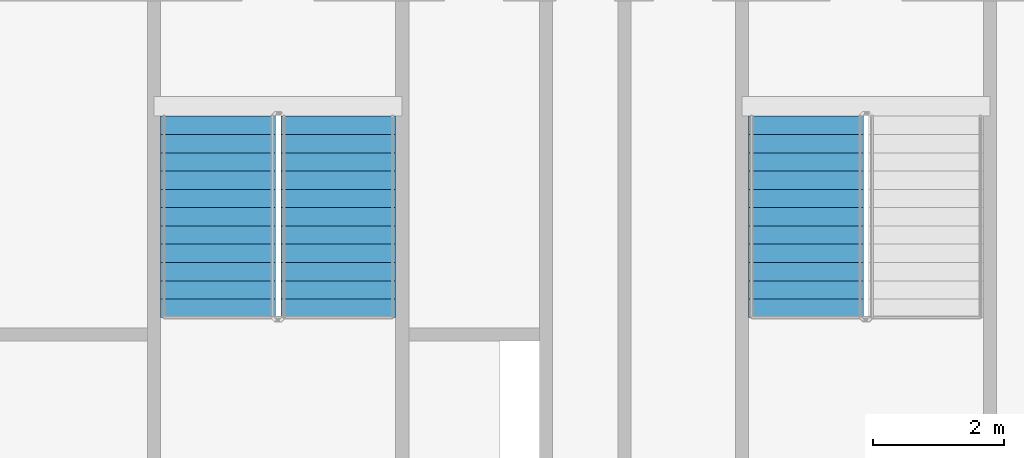
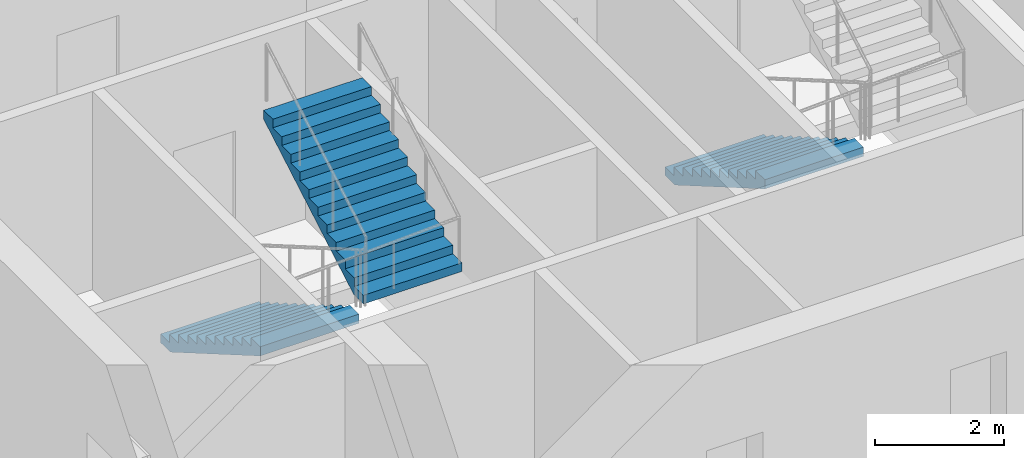
# One storey, part 13 of 20: 3 stair flights, 2 elements without a shape of their own.
"""IFC4 building model written with IfcOpenShell, lengths in metres."""

from ifc_helpers import new_model, si_unit, direction, frame, origin, place, context, subcontext, project, spatial, faceted_brep, material, type_object, element, aggregate, save


model = new_model("IFC4")

# Units and contexts
model_context = context("Model", 3, precision=1e-05, world=origin(), true_north=direction((0.0, 1.0)))
body_context = subcontext(model_context, "Body", "Model", "MODEL_VIEW")
ifc_project = project(units=[si_unit("LENGTHUNIT", "METRE"), si_unit("AREAUNIT", "SQUARE_METRE"), si_unit("VOLUMEUNIT", "CUBIC_METRE"), si_unit("PLANEANGLEUNIT", "RADIAN"), si_unit("MASSUNIT", "GRAM", prefix="KILO")], contexts=[model_context])

# Site, building, storey
site_placement = place(None, origin())
site = spatial("IfcSite", under=ifc_project, at=site_placement, CompositionType="ELEMENT")
building_placement = place(site_placement, origin())
building = spatial("IfcBuilding", under=site, at=building_placement, Name="Tarsis Ring Headquarters", CompositionType="ELEMENT")
storey_placement = place(building_placement, frame((0.0, 0.0, 294.199951171875)))
storey = spatial("IfcBuildingStorey", under=building, at=storey_placement, Name="L69", CompositionType="ELEMENT", Elevation=294.199951171875)

# Stair, stair flights
ifc_material_1 = material(Name="Core stair 1760")
stair_type = type_object("IfcStairType", Name="Core stair 1760", PredefinedType="HALF_TURN_STAIR", material=ifc_material_1)
stair_1_placement = place(storey_placement, origin())
stair_1 = element("IfcStair", 1, at=stair_1_placement, inside=storey, type_object=stair_type, Name="L69 Exit stair C", PredefinedType="HALF_TURN_STAIR")
ifc_material_2 = material(Name="Concrete C40/50", Category="concrete")
stair_flight_type = type_object("IfcStairFlightType", Name="Core stair flight 1760", PredefinedType="STRAIGHT", material=ifc_material_2)
stair_flight_1_placement = place(storey_placement, frame((-5.419921875, -3.659912109375, 0.0), z_axis=(0.0, 0.0, 1.0), x_axis=(0.0, -1.0, 0.0)))
stair_flight_1 = element("IfcStairFlight", 2, at=stair_flight_1_placement, type_object=stair_flight_type, Name="Stair ST3 flight 1", NumberOfRisers=12, NumberOfTreads=11, PredefinedType="STRAIGHT", RiserHeight=0.1625, TreadLength=0.28, context=body_context, shape_type="Brep", body=[
    faceted_brep([(0.0, 0.8798828125, 0.0), (0.0, 0.8798828125, 0.16259765625), (0.280029296875, 0.8798828125, 0.16259765625), (0.280029296875, 0.8798828125, 0.324951171875), (0.56005859375, 0.8798828125, 0.324951171875), (0.56005859375, 0.8798828125, 0.487548828125), (0.840087890625, 0.8798828125, 0.487548828125), (0.840087890625, 0.8798828125, 0.64990234375), (1.1201171875, 0.8798828125, 0.64990234375), (1.1201171875, 0.8798828125, 0.8125), (1.39990234375, 0.8798828125, 0.8125), (1.39990234375, 0.8798828125, 0.97509765625), (1.679931640625, 0.8798828125, 0.97509765625), (1.679931640625, 0.8798828125, 1.137451171875), (1.9599609375, 0.8798828125, 1.137451171875), (1.9599609375, 0.8798828125, 1.300048828125), (2.239990234375, 0.8798828125, 1.300048828125), (2.239990234375, 0.8798828125, 1.46240234375), (2.52001953125, 0.8798828125, 1.46240234375), (2.52001953125, 0.8798828125, 1.625), (2.800048828125, 0.8798828125, 1.625), (2.800048828125, 0.8798828125, 1.78759765625), (3.080078125, 0.8798828125, 1.78759765625), (3.080078125, 0.8798828125, 1.6142578125), (0.298583984375, 0.8798828125, 0.0), (0.298583984375, -0.8798828125, 0.0), (3.080078125, -0.8798828125, 1.6142578125), (3.080078125, -0.8798828125, 1.78759765625), (2.800048828125, -0.8798828125, 1.78759765625), (2.800048828125, -0.8798828125, 1.625), (2.52001953125, -0.8798828125, 1.625), (2.52001953125, -0.8798828125, 1.46240234375), (2.239990234375, -0.8798828125, 1.46240234375), (2.239990234375, -0.8798828125, 1.300048828125), (1.9599609375, -0.8798828125, 1.300048828125), (1.9599609375, -0.8798828125, 1.137451171875), (1.679931640625, -0.8798828125, 1.137451171875), (1.679931640625, -0.8798828125, 0.97509765625), (1.39990234375, -0.8798828125, 0.97509765625), (1.39990234375, -0.8798828125, 0.8125), (1.1201171875, -0.8798828125, 0.8125), (1.1201171875, -0.8798828125, 0.64990234375), (0.840087890625, -0.8798828125, 0.64990234375), (0.840087890625, -0.8798828125, 0.487548828125), (0.56005859375, -0.8798828125, 0.487548828125), (0.56005859375, -0.8798828125, 0.324951171875), (0.280029296875, -0.8798828125, 0.324951171875), (0.280029296875, -0.8798828125, 0.16259765625), (0.0, -0.8798828125, 0.16259765625), (0.0, -0.8798828125, 0.0), (0.0, -0.43994140625, 0.16259765625), (0.0, -0.43994140625, 0.0), (0.0, 0.0, 0.16259765625), (0.0, 0.0, 0.0), (0.0, 0.43994140625, 0.16259765625), (0.0, 0.43994140625, 0.0), (0.280029296875, -0.43994140625, 0.16259765625), (0.280029296875, 0.0, 0.16259765625), (0.280029296875, 0.43994140625, 0.16259765625), (0.280029296875, -0.43994140625, 0.324951171875), (0.280029296875, 0.0, 0.324951171875), (0.280029296875, 0.43994140625, 0.324951171875), (0.56005859375, -0.43994140625, 0.324951171875), (0.56005859375, 0.0, 0.324951171875), (0.56005859375, 0.43994140625, 0.324951171875), (0.56005859375, -0.43994140625, 0.487548828125), (0.56005859375, 0.0, 0.487548828125), (0.56005859375, 0.43994140625, 0.487548828125), (0.840087890625, -0.43994140625, 0.487548828125), (0.840087890625, 0.0, 0.487548828125), (0.840087890625, 0.43994140625, 0.487548828125), (0.840087890625, -0.43994140625, 0.64990234375), (0.840087890625, 0.0, 0.64990234375), (0.840087890625, 0.43994140625, 0.64990234375), (1.1201171875, -0.43994140625, 0.64990234375), (1.1201171875, 0.0, 0.64990234375), (1.1201171875, 0.43994140625, 0.64990234375), (1.1201171875, -0.43994140625, 0.8125), (1.1201171875, 0.0, 0.8125), (1.1201171875, 0.43994140625, 0.8125), (1.39990234375, -0.43994140625, 0.8125), (1.39990234375, 0.0, 0.8125), (1.39990234375, 0.43994140625, 0.8125), (1.39990234375, -0.43994140625, 0.97509765625), (1.39990234375, 0.0, 0.97509765625), (1.39990234375, 0.43994140625, 0.97509765625), (1.679931640625, -0.43994140625, 0.97509765625), (1.679931640625, 0.0, 0.97509765625), (1.679931640625, 0.43994140625, 0.97509765625), (1.679931640625, -0.43994140625, 1.137451171875), (1.679931640625, 0.0, 1.137451171875), (1.679931640625, 0.43994140625, 1.137451171875), (1.9599609375, -0.43994140625, 1.137451171875), (1.9599609375, 0.0, 1.137451171875), (1.9599609375, 0.43994140625, 1.137451171875), (1.9599609375, -0.43994140625, 1.300048828125), (1.9599609375, 0.0, 1.300048828125), (1.9599609375, 0.43994140625, 1.300048828125), (2.239990234375, -0.43994140625, 1.300048828125), (2.239990234375, 0.0, 1.300048828125), (2.239990234375, 0.43994140625, 1.300048828125), (2.239990234375, -0.43994140625, 1.46240234375), (2.239990234375, 0.0, 1.46240234375), (2.239990234375, 0.43994140625, 1.46240234375), (2.52001953125, -0.43994140625, 1.46240234375), (2.52001953125, 0.0, 1.46240234375), (2.52001953125, 0.43994140625, 1.46240234375), (2.52001953125, -0.43994140625, 1.625), (2.52001953125, 0.0, 1.625), (2.52001953125, 0.43994140625, 1.625), (2.800048828125, -0.43994140625, 1.625), (2.800048828125, 0.0, 1.625), (2.800048828125, 0.43994140625, 1.625), (2.800048828125, -0.43994140625, 1.78759765625), (2.800048828125, 0.0, 1.78759765625), (2.800048828125, 0.43994140625, 1.78759765625), (3.080078125, -0.43994140625, 1.78759765625), (3.080078125, 0.0, 1.78759765625), (3.080078125, 0.43994140625, 1.78759765625), (3.080078125, -0.43994140625, 1.6142578125), (3.080078125, 0.0, 1.6142578125), (3.080078125, 0.43994140625, 1.6142578125), (0.298583984375, -0.43994140625, 0.0), (0.298583984375, 0.0, 0.0), (0.298583984375, 0.43994140625, 0.0)], [[[0, 1, 2, 3, 4, 5, 6, 7, 8, 9, 10, 11, 12, 13, 14, 15, 16, 17, 18, 19, 20, 21, 22, 23, 24]], [[25, 26, 27, 28, 29, 30, 31, 32, 33, 34, 35, 36, 37, 38, 39, 40, 41, 42, 43, 44, 45, 46, 47, 48, 49]], [[49, 48, 50, 51]], [[51, 50, 52, 53]], [[53, 52, 54, 55]], [[55, 54, 1, 0]], [[48, 47, 56, 50]], [[50, 56, 57, 52]], [[52, 57, 58, 54]], [[54, 58, 2, 1]], [[47, 46, 59, 56]], [[56, 59, 60, 57]], [[57, 60, 61, 58]], [[58, 61, 3, 2]], [[46, 45, 62, 59]], [[59, 62, 63, 60]], [[60, 63, 64, 61]], [[61, 64, 4, 3]], [[45, 44, 65, 62]], [[62, 65, 66, 63]], [[63, 66, 67, 64]], [[64, 67, 5, 4]], [[44, 43, 68, 65]], [[65, 68, 69, 66]], [[66, 69, 70, 67]], [[67, 70, 6, 5]], [[43, 42, 71, 68]], [[68, 71, 72, 69]], [[69, 72, 73, 70]], [[70, 73, 7, 6]], [[42, 41, 74, 71]], [[71, 74, 75, 72]], [[72, 75, 76, 73]], [[73, 76, 8, 7]], [[41, 40, 77, 74]], [[74, 77, 78, 75]], [[75, 78, 79, 76]], [[76, 79, 9, 8]], [[40, 39, 80, 77]], [[77, 80, 81, 78]], [[78, 81, 82, 79]], [[79, 82, 10, 9]], [[39, 38, 83, 80]], [[80, 83, 84, 81]], [[81, 84, 85, 82]], [[82, 85, 11, 10]], [[38, 37, 86, 83]], [[83, 86, 87, 84]], [[84, 87, 88, 85]], [[85, 88, 12, 11]], [[37, 36, 89, 86]], [[86, 89, 90, 87]], [[87, 90, 91, 88]], [[88, 91, 13, 12]], [[36, 35, 92, 89]], [[89, 92, 93, 90]], [[90, 93, 94, 91]], [[91, 94, 14, 13]], [[35, 34, 95, 92]], [[92, 95, 96, 93]], [[93, 96, 97, 94]], [[94, 97, 15, 14]], [[34, 33, 98, 95]], [[95, 98, 99, 96]], [[96, 99, 100, 97]], [[97, 100, 16, 15]], [[33, 32, 101, 98]], [[98, 101, 102, 99]], [[99, 102, 103, 100]], [[100, 103, 17, 16]], [[32, 31, 104, 101]], [[101, 104, 105, 102]], [[102, 105, 106, 103]], [[103, 106, 18, 17]], [[31, 30, 107, 104]], [[104, 107, 108, 105]], [[105, 108, 109, 106]], [[106, 109, 19, 18]], [[30, 29, 110, 107]], [[107, 110, 111, 108]], [[108, 111, 112, 109]], [[109, 112, 20, 19]], [[29, 28, 113, 110]], [[110, 113, 114, 111]], [[111, 114, 115, 112]], [[112, 115, 21, 20]], [[28, 27, 116, 113]], [[113, 116, 117, 114]], [[114, 117, 118, 115]], [[115, 118, 22, 21]], [[27, 26, 119, 116]], [[116, 119, 120, 117]], [[117, 120, 121, 118]], [[118, 121, 23, 22]], [[26, 25, 122, 119]], [[119, 122, 123, 120]], [[120, 123, 124, 121]], [[121, 124, 24, 23]], [[25, 49, 51, 122]], [[122, 51, 53, 123]], [[123, 53, 55, 124]], [[124, 55, 0, 24]]]),
])
stair_flight_2_placement = place(storey_placement, frame((-3.580078125, -6.739990234375, 1.949951171875), z_axis=(0.0, 0.0, 1.0), x_axis=(0.0, 1.0, 0.0)))
stair_flight_2 = element("IfcStairFlight", 3, at=stair_flight_2_placement, type_object=stair_flight_type, Name="Stair ST3 flight 2", NumberOfRisers=12, NumberOfTreads=11, PredefinedType="STRAIGHT", RiserHeight=0.1625, TreadLength=0.28, context=body_context, shape_type="Brep", body=[
    faceted_brep([(0.0, 0.8798828125, 0.0), (0.0, 0.8798828125, 0.16259765625), (0.280029296875, 0.8798828125, 0.16259765625), (0.280029296875, 0.8798828125, 0.324951171875), (0.56005859375, 0.8798828125, 0.324951171875), (0.56005859375, 0.8798828125, 0.487548828125), (0.840087890625, 0.8798828125, 0.487548828125), (0.840087890625, 0.8798828125, 0.64990234375), (1.1201171875, 0.8798828125, 0.64990234375), (1.1201171875, 0.8798828125, 0.8125), (1.39990234375, 0.8798828125, 0.8125), (1.39990234375, 0.8798828125, 0.97509765625), (1.679931640625, 0.8798828125, 0.97509765625), (1.679931640625, 0.8798828125, 1.137451171875), (1.9599609375, 0.8798828125, 1.137451171875), (1.9599609375, 0.8798828125, 1.300048828125), (2.239990234375, 0.8798828125, 1.300048828125), (2.239990234375, 0.8798828125, 1.46240234375), (2.52001953125, 0.8798828125, 1.46240234375), (2.52001953125, 0.8798828125, 1.625), (2.800048828125, 0.8798828125, 1.625), (2.800048828125, 0.8798828125, 1.78759765625), (3.080078125, 0.8798828125, 1.78759765625), (3.080078125, 0.8798828125, 1.6142578125), (0.298583984375, 0.8798828125, 0.0), (0.298583984375, -0.8798828125, 0.0), (3.080078125, -0.8798828125, 1.6142578125), (3.080078125, -0.8798828125, 1.78759765625), (2.800048828125, -0.8798828125, 1.78759765625), (2.800048828125, -0.8798828125, 1.625), (2.52001953125, -0.8798828125, 1.625), (2.52001953125, -0.8798828125, 1.46240234375), (2.239990234375, -0.8798828125, 1.46240234375), (2.239990234375, -0.8798828125, 1.300048828125), (1.9599609375, -0.8798828125, 1.300048828125), (1.9599609375, -0.8798828125, 1.137451171875), (1.679931640625, -0.8798828125, 1.137451171875), (1.679931640625, -0.8798828125, 0.97509765625), (1.39990234375, -0.8798828125, 0.97509765625), (1.39990234375, -0.8798828125, 0.8125), (1.1201171875, -0.8798828125, 0.8125), (1.1201171875, -0.8798828125, 0.64990234375), (0.840087890625, -0.8798828125, 0.64990234375), (0.840087890625, -0.8798828125, 0.487548828125), (0.56005859375, -0.8798828125, 0.487548828125), (0.56005859375, -0.8798828125, 0.324951171875), (0.280029296875, -0.8798828125, 0.324951171875), (0.280029296875, -0.8798828125, 0.16259765625), (0.0, -0.8798828125, 0.16259765625), (0.0, -0.8798828125, 0.0), (0.0, -0.43994140625, 0.16259765625), (0.0, -0.43994140625, 0.0), (0.0, 0.0, 0.16259765625), (0.0, 0.0, 0.0), (0.0, 0.43994140625, 0.16259765625), (0.0, 0.43994140625, 0.0), (0.280029296875, -0.43994140625, 0.16259765625), (0.280029296875, 0.0, 0.16259765625), (0.280029296875, 0.43994140625, 0.16259765625), (0.280029296875, -0.43994140625, 0.324951171875), (0.280029296875, 0.0, 0.324951171875), (0.280029296875, 0.43994140625, 0.324951171875), (0.56005859375, -0.43994140625, 0.324951171875), (0.56005859375, 0.0, 0.324951171875), (0.56005859375, 0.43994140625, 0.324951171875), (0.56005859375, -0.43994140625, 0.487548828125), (0.56005859375, 0.0, 0.487548828125), (0.56005859375, 0.43994140625, 0.487548828125), (0.840087890625, -0.43994140625, 0.487548828125), (0.840087890625, 0.0, 0.487548828125), (0.840087890625, 0.43994140625, 0.487548828125), (0.840087890625, -0.43994140625, 0.64990234375), (0.840087890625, 0.0, 0.64990234375), (0.840087890625, 0.43994140625, 0.64990234375), (1.1201171875, -0.43994140625, 0.64990234375), (1.1201171875, 0.0, 0.64990234375), (1.1201171875, 0.43994140625, 0.64990234375), (1.1201171875, -0.43994140625, 0.8125), (1.1201171875, 0.0, 0.8125), (1.1201171875, 0.43994140625, 0.8125), (1.39990234375, -0.43994140625, 0.8125), (1.39990234375, 0.0, 0.8125), (1.39990234375, 0.43994140625, 0.8125), (1.39990234375, -0.43994140625, 0.97509765625), (1.39990234375, 0.0, 0.97509765625), (1.39990234375, 0.43994140625, 0.97509765625), (1.679931640625, -0.43994140625, 0.97509765625), (1.679931640625, 0.0, 0.97509765625), (1.679931640625, 0.43994140625, 0.97509765625), (1.679931640625, -0.43994140625, 1.137451171875), (1.679931640625, 0.0, 1.137451171875), (1.679931640625, 0.43994140625, 1.137451171875), (1.9599609375, -0.43994140625, 1.137451171875), (1.9599609375, 0.0, 1.137451171875), (1.9599609375, 0.43994140625, 1.137451171875), (1.9599609375, -0.43994140625, 1.300048828125), (1.9599609375, 0.0, 1.300048828125), (1.9599609375, 0.43994140625, 1.300048828125), (2.239990234375, -0.43994140625, 1.300048828125), (2.239990234375, 0.0, 1.300048828125), (2.239990234375, 0.43994140625, 1.300048828125), (2.239990234375, -0.43994140625, 1.46240234375), (2.239990234375, 0.0, 1.46240234375), (2.239990234375, 0.43994140625, 1.46240234375), (2.52001953125, -0.43994140625, 1.46240234375), (2.52001953125, 0.0, 1.46240234375), (2.52001953125, 0.43994140625, 1.46240234375), (2.52001953125, -0.43994140625, 1.625), (2.52001953125, 0.0, 1.625), (2.52001953125, 0.43994140625, 1.625), (2.800048828125, -0.43994140625, 1.625), (2.800048828125, 0.0, 1.625), (2.800048828125, 0.43994140625, 1.625), (2.800048828125, -0.43994140625, 1.78759765625), (2.800048828125, 0.0, 1.78759765625), (2.800048828125, 0.43994140625, 1.78759765625), (3.080078125, -0.43994140625, 1.78759765625), (3.080078125, 0.0, 1.78759765625), (3.080078125, 0.43994140625, 1.78759765625), (3.080078125, -0.43994140625, 1.6142578125), (3.080078125, 0.0, 1.6142578125), (3.080078125, 0.43994140625, 1.6142578125), (0.298583984375, -0.43994140625, 0.0), (0.298583984375, 0.0, 0.0), (0.298583984375, 0.43994140625, 0.0)], [[[0, 1, 2, 3, 4, 5, 6, 7, 8, 9, 10, 11, 12, 13, 14, 15, 16, 17, 18, 19, 20, 21, 22, 23, 24]], [[25, 26, 27, 28, 29, 30, 31, 32, 33, 34, 35, 36, 37, 38, 39, 40, 41, 42, 43, 44, 45, 46, 47, 48, 49]], [[49, 48, 50, 51]], [[51, 50, 52, 53]], [[53, 52, 54, 55]], [[55, 54, 1, 0]], [[48, 47, 56, 50]], [[50, 56, 57, 52]], [[52, 57, 58, 54]], [[54, 58, 2, 1]], [[47, 46, 59, 56]], [[56, 59, 60, 57]], [[57, 60, 61, 58]], [[58, 61, 3, 2]], [[46, 45, 62, 59]], [[59, 62, 63, 60]], [[60, 63, 64, 61]], [[61, 64, 4, 3]], [[45, 44, 65, 62]], [[62, 65, 66, 63]], [[63, 66, 67, 64]], [[64, 67, 5, 4]], [[44, 43, 68, 65]], [[65, 68, 69, 66]], [[66, 69, 70, 67]], [[67, 70, 6, 5]], [[43, 42, 71, 68]], [[68, 71, 72, 69]], [[69, 72, 73, 70]], [[70, 73, 7, 6]], [[42, 41, 74, 71]], [[71, 74, 75, 72]], [[72, 75, 76, 73]], [[73, 76, 8, 7]], [[41, 40, 77, 74]], [[74, 77, 78, 75]], [[75, 78, 79, 76]], [[76, 79, 9, 8]], [[40, 39, 80, 77]], [[77, 80, 81, 78]], [[78, 81, 82, 79]], [[79, 82, 10, 9]], [[39, 38, 83, 80]], [[80, 83, 84, 81]], [[81, 84, 85, 82]], [[82, 85, 11, 10]], [[38, 37, 86, 83]], [[83, 86, 87, 84]], [[84, 87, 88, 85]], [[85, 88, 12, 11]], [[37, 36, 89, 86]], [[86, 89, 90, 87]], [[87, 90, 91, 88]], [[88, 91, 13, 12]], [[36, 35, 92, 89]], [[89, 92, 93, 90]], [[90, 93, 94, 91]], [[91, 94, 14, 13]], [[35, 34, 95, 92]], [[92, 95, 96, 93]], [[93, 96, 97, 94]], [[94, 97, 15, 14]], [[34, 33, 98, 95]], [[95, 98, 99, 96]], [[96, 99, 100, 97]], [[97, 100, 16, 15]], [[33, 32, 101, 98]], [[98, 101, 102, 99]], [[99, 102, 103, 100]], [[100, 103, 17, 16]], [[32, 31, 104, 101]], [[101, 104, 105, 102]], [[102, 105, 106, 103]], [[103, 106, 18, 17]], [[31, 30, 107, 104]], [[104, 107, 108, 105]], [[105, 108, 109, 106]], [[106, 109, 19, 18]], [[30, 29, 110, 107]], [[107, 110, 111, 108]], [[108, 111, 112, 109]], [[109, 112, 20, 19]], [[29, 28, 113, 110]], [[110, 113, 114, 111]], [[111, 114, 115, 112]], [[112, 115, 21, 20]], [[28, 27, 116, 113]], [[113, 116, 117, 114]], [[114, 117, 118, 115]], [[115, 118, 22, 21]], [[27, 26, 119, 116]], [[116, 119, 120, 117]], [[117, 120, 121, 118]], [[118, 121, 23, 22]], [[26, 25, 122, 119]], [[119, 122, 123, 120]], [[120, 123, 124, 121]], [[121, 124, 24, 23]], [[25, 49, 51, 122]], [[122, 51, 53, 123]], [[123, 53, 55, 124]], [[124, 55, 0, 24]]]),
])
aggregate(stair_1, [stair_flight_1, stair_flight_2])

# Stair, stair flight
stair_2_placement = place(storey_placement, origin())
stair_2 = element("IfcStair", 4, at=stair_2_placement, inside=storey, type_object=stair_type, Name="L69 Exit stair D", PredefinedType="HALF_TURN_STAIR")
stair_flight_3_placement = place(storey_placement, frame((3.580078125, -3.659912109375, 0.0), z_axis=(0.0, 0.0, 1.0), x_axis=(0.0, -1.0, 0.0)))
stair_flight_3 = element("IfcStairFlight", 5, at=stair_flight_3_placement, type_object=stair_flight_type, Name="Stair ST4 flight 1", NumberOfRisers=12, NumberOfTreads=11, PredefinedType="STRAIGHT", RiserHeight=0.1625, TreadLength=0.28, context=body_context, shape_type="Brep", body=[
    faceted_brep([(0.0, 0.8798828125, 0.0), (0.0, 0.8798828125, 0.16259765625), (0.280029296875, 0.8798828125, 0.16259765625), (0.280029296875, 0.8798828125, 0.324951171875), (0.56005859375, 0.8798828125, 0.324951171875), (0.56005859375, 0.8798828125, 0.487548828125), (0.840087890625, 0.8798828125, 0.487548828125), (0.840087890625, 0.8798828125, 0.64990234375), (1.1201171875, 0.8798828125, 0.64990234375), (1.1201171875, 0.8798828125, 0.8125), (1.39990234375, 0.8798828125, 0.8125), (1.39990234375, 0.8798828125, 0.97509765625), (1.679931640625, 0.8798828125, 0.97509765625), (1.679931640625, 0.8798828125, 1.137451171875), (1.9599609375, 0.8798828125, 1.137451171875), (1.9599609375, 0.8798828125, 1.300048828125), (2.239990234375, 0.8798828125, 1.300048828125), (2.239990234375, 0.8798828125, 1.46240234375), (2.52001953125, 0.8798828125, 1.46240234375), (2.52001953125, 0.8798828125, 1.625), (2.800048828125, 0.8798828125, 1.625), (2.800048828125, 0.8798828125, 1.78759765625), (3.080078125, 0.8798828125, 1.78759765625), (3.080078125, 0.8798828125, 1.6142578125), (0.298583984375, 0.8798828125, 0.0), (0.298583984375, -0.8798828125, 0.0), (3.080078125, -0.8798828125, 1.6142578125), (3.080078125, -0.8798828125, 1.78759765625), (2.800048828125, -0.8798828125, 1.78759765625), (2.800048828125, -0.8798828125, 1.625), (2.52001953125, -0.8798828125, 1.625), (2.52001953125, -0.8798828125, 1.46240234375), (2.239990234375, -0.8798828125, 1.46240234375), (2.239990234375, -0.8798828125, 1.300048828125), (1.9599609375, -0.8798828125, 1.300048828125), (1.9599609375, -0.8798828125, 1.137451171875), (1.679931640625, -0.8798828125, 1.137451171875), (1.679931640625, -0.8798828125, 0.97509765625), (1.39990234375, -0.8798828125, 0.97509765625), (1.39990234375, -0.8798828125, 0.8125), (1.1201171875, -0.8798828125, 0.8125), (1.1201171875, -0.8798828125, 0.64990234375), (0.840087890625, -0.8798828125, 0.64990234375), (0.840087890625, -0.8798828125, 0.487548828125), (0.56005859375, -0.8798828125, 0.487548828125), (0.56005859375, -0.8798828125, 0.324951171875), (0.280029296875, -0.8798828125, 0.324951171875), (0.280029296875, -0.8798828125, 0.16259765625), (0.0, -0.8798828125, 0.16259765625), (0.0, -0.8798828125, 0.0), (0.0, -0.43994140625, 0.16259765625), (0.0, -0.43994140625, 0.0), (0.0, 0.0, 0.16259765625), (0.0, 0.0, 0.0), (0.0, 0.43994140625, 0.16259765625), (0.0, 0.43994140625, 0.0), (0.280029296875, -0.43994140625, 0.16259765625), (0.280029296875, 0.0, 0.16259765625), (0.280029296875, 0.43994140625, 0.16259765625), (0.280029296875, -0.43994140625, 0.324951171875), (0.280029296875, 0.0, 0.324951171875), (0.280029296875, 0.43994140625, 0.324951171875), (0.56005859375, -0.43994140625, 0.324951171875), (0.56005859375, 0.0, 0.324951171875), (0.56005859375, 0.43994140625, 0.324951171875), (0.56005859375, -0.43994140625, 0.487548828125), (0.56005859375, 0.0, 0.487548828125), (0.56005859375, 0.43994140625, 0.487548828125), (0.840087890625, -0.43994140625, 0.487548828125), (0.840087890625, 0.0, 0.487548828125), (0.840087890625, 0.43994140625, 0.487548828125), (0.840087890625, -0.43994140625, 0.64990234375), (0.840087890625, 0.0, 0.64990234375), (0.840087890625, 0.43994140625, 0.64990234375), (1.1201171875, -0.43994140625, 0.64990234375), (1.1201171875, 0.0, 0.64990234375), (1.1201171875, 0.43994140625, 0.64990234375), (1.1201171875, -0.43994140625, 0.8125), (1.1201171875, 0.0, 0.8125), (1.1201171875, 0.43994140625, 0.8125), (1.39990234375, -0.43994140625, 0.8125), (1.39990234375, 0.0, 0.8125), (1.39990234375, 0.43994140625, 0.8125), (1.39990234375, -0.43994140625, 0.97509765625), (1.39990234375, 0.0, 0.97509765625), (1.39990234375, 0.43994140625, 0.97509765625), (1.679931640625, -0.43994140625, 0.97509765625), (1.679931640625, 0.0, 0.97509765625), (1.679931640625, 0.43994140625, 0.97509765625), (1.679931640625, -0.43994140625, 1.137451171875), (1.679931640625, 0.0, 1.137451171875), (1.679931640625, 0.43994140625, 1.137451171875), (1.9599609375, -0.43994140625, 1.137451171875), (1.9599609375, 0.0, 1.137451171875), (1.9599609375, 0.43994140625, 1.137451171875), (1.9599609375, -0.43994140625, 1.300048828125), (1.9599609375, 0.0, 1.300048828125), (1.9599609375, 0.43994140625, 1.300048828125), (2.239990234375, -0.43994140625, 1.300048828125), (2.239990234375, 0.0, 1.300048828125), (2.239990234375, 0.43994140625, 1.300048828125), (2.239990234375, -0.43994140625, 1.46240234375), (2.239990234375, 0.0, 1.46240234375), (2.239990234375, 0.43994140625, 1.46240234375), (2.52001953125, -0.43994140625, 1.46240234375), (2.52001953125, 0.0, 1.46240234375), (2.52001953125, 0.43994140625, 1.46240234375), (2.52001953125, -0.43994140625, 1.625), (2.52001953125, 0.0, 1.625), (2.52001953125, 0.43994140625, 1.625), (2.800048828125, -0.43994140625, 1.625), (2.800048828125, 0.0, 1.625), (2.800048828125, 0.43994140625, 1.625), (2.800048828125, -0.43994140625, 1.78759765625), (2.800048828125, 0.0, 1.78759765625), (2.800048828125, 0.43994140625, 1.78759765625), (3.080078125, -0.43994140625, 1.78759765625), (3.080078125, 0.0, 1.78759765625), (3.080078125, 0.43994140625, 1.78759765625), (3.080078125, -0.43994140625, 1.6142578125), (3.080078125, 0.0, 1.6142578125), (3.080078125, 0.43994140625, 1.6142578125), (0.298583984375, -0.43994140625, 0.0), (0.298583984375, 0.0, 0.0), (0.298583984375, 0.43994140625, 0.0)], [[[0, 1, 2, 3, 4, 5, 6, 7, 8, 9, 10, 11, 12, 13, 14, 15, 16, 17, 18, 19, 20, 21, 22, 23, 24]], [[25, 26, 27, 28, 29, 30, 31, 32, 33, 34, 35, 36, 37, 38, 39, 40, 41, 42, 43, 44, 45, 46, 47, 48, 49]], [[49, 48, 50, 51]], [[51, 50, 52, 53]], [[53, 52, 54, 55]], [[55, 54, 1, 0]], [[48, 47, 56, 50]], [[50, 56, 57, 52]], [[52, 57, 58, 54]], [[54, 58, 2, 1]], [[47, 46, 59, 56]], [[56, 59, 60, 57]], [[57, 60, 61, 58]], [[58, 61, 3, 2]], [[46, 45, 62, 59]], [[59, 62, 63, 60]], [[60, 63, 64, 61]], [[61, 64, 4, 3]], [[45, 44, 65, 62]], [[62, 65, 66, 63]], [[63, 66, 67, 64]], [[64, 67, 5, 4]], [[44, 43, 68, 65]], [[65, 68, 69, 66]], [[66, 69, 70, 67]], [[67, 70, 6, 5]], [[43, 42, 71, 68]], [[68, 71, 72, 69]], [[69, 72, 73, 70]], [[70, 73, 7, 6]], [[42, 41, 74, 71]], [[71, 74, 75, 72]], [[72, 75, 76, 73]], [[73, 76, 8, 7]], [[41, 40, 77, 74]], [[74, 77, 78, 75]], [[75, 78, 79, 76]], [[76, 79, 9, 8]], [[40, 39, 80, 77]], [[77, 80, 81, 78]], [[78, 81, 82, 79]], [[79, 82, 10, 9]], [[39, 38, 83, 80]], [[80, 83, 84, 81]], [[81, 84, 85, 82]], [[82, 85, 11, 10]], [[38, 37, 86, 83]], [[83, 86, 87, 84]], [[84, 87, 88, 85]], [[85, 88, 12, 11]], [[37, 36, 89, 86]], [[86, 89, 90, 87]], [[87, 90, 91, 88]], [[88, 91, 13, 12]], [[36, 35, 92, 89]], [[89, 92, 93, 90]], [[90, 93, 94, 91]], [[91, 94, 14, 13]], [[35, 34, 95, 92]], [[92, 95, 96, 93]], [[93, 96, 97, 94]], [[94, 97, 15, 14]], [[34, 33, 98, 95]], [[95, 98, 99, 96]], [[96, 99, 100, 97]], [[97, 100, 16, 15]], [[33, 32, 101, 98]], [[98, 101, 102, 99]], [[99, 102, 103, 100]], [[100, 103, 17, 16]], [[32, 31, 104, 101]], [[101, 104, 105, 102]], [[102, 105, 106, 103]], [[103, 106, 18, 17]], [[31, 30, 107, 104]], [[104, 107, 108, 105]], [[105, 108, 109, 106]], [[106, 109, 19, 18]], [[30, 29, 110, 107]], [[107, 110, 111, 108]], [[108, 111, 112, 109]], [[109, 112, 20, 19]], [[29, 28, 113, 110]], [[110, 113, 114, 111]], [[111, 114, 115, 112]], [[112, 115, 21, 20]], [[28, 27, 116, 113]], [[113, 116, 117, 114]], [[114, 117, 118, 115]], [[115, 118, 22, 21]], [[27, 26, 119, 116]], [[116, 119, 120, 117]], [[117, 120, 121, 118]], [[118, 121, 23, 22]], [[26, 25, 122, 119]], [[119, 122, 123, 120]], [[120, 123, 124, 121]], [[121, 124, 24, 23]], [[25, 49, 51, 122]], [[122, 51, 53, 123]], [[123, 53, 55, 124]], [[124, 55, 0, 24]]]),
])
aggregate(stair_2, [stair_flight_3])

save(model, "model.ifc")
